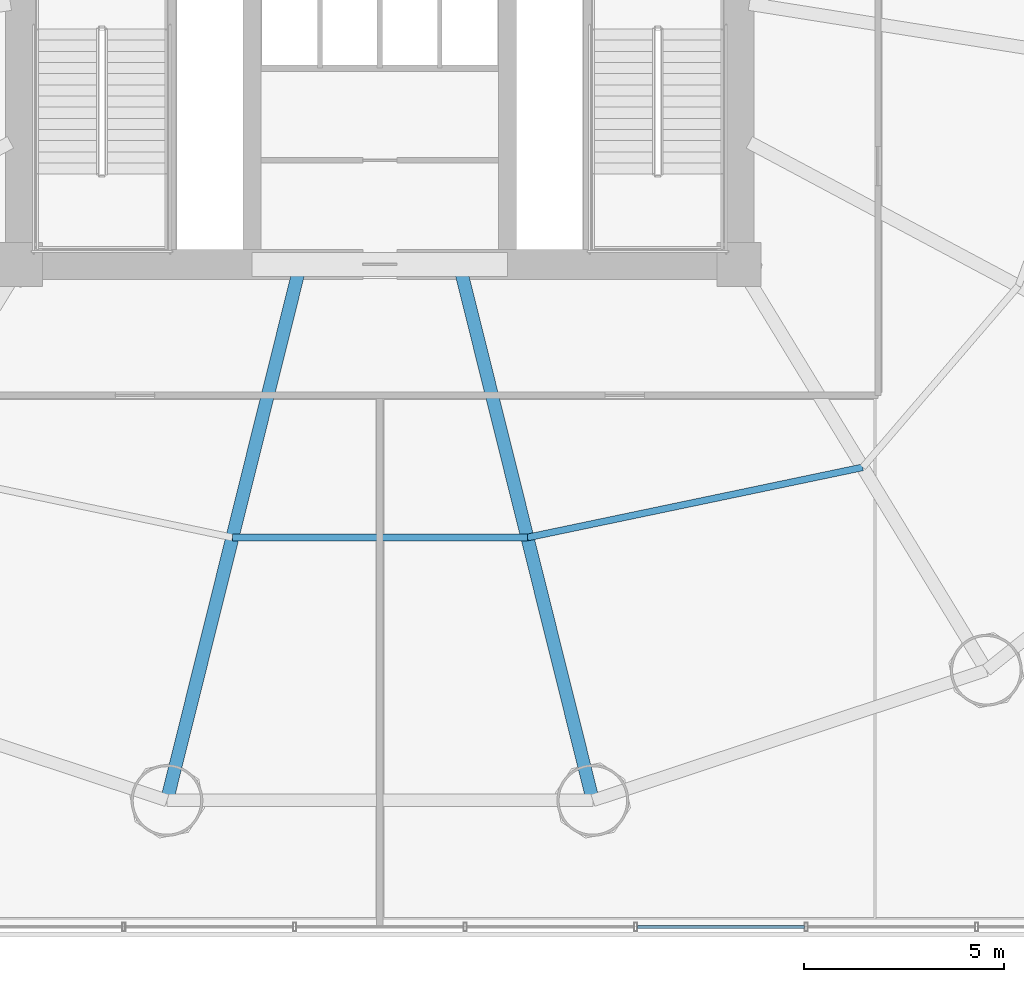
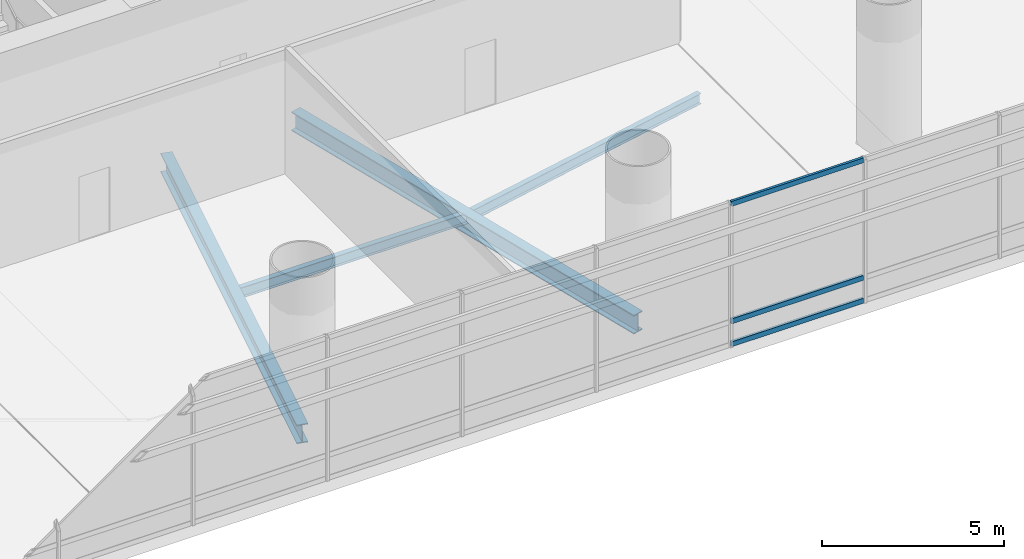
# One storey, part 7 of 31: 4 beams, 3 members, 1 element without a shape of its own.
"""IFC4 building model written with IfcOpenShell, lengths in metres."""

from ifc_helpers import new_model, si_unit, direction, frame, origin, origin_2d, place, context, subcontext, project, spatial, hollow_rectangle, i_section, extrude, source, transform, mapped, material, material_profile, profile_set, type_object, element, aggregate, save


model = new_model("IFC4")

# Units and contexts
model_context = context("Model", 3, precision=1e-05, world=origin(), true_north=direction((-0.2419218956, 0.970295726276)))
body_context = subcontext(model_context, "Body", "Model", "MODEL_VIEW")
ifc_project = project(units=[si_unit("LENGTHUNIT", "METRE"), si_unit("AREAUNIT", "SQUARE_METRE"), si_unit("VOLUMEUNIT", "CUBIC_METRE"), si_unit("PLANEANGLEUNIT", "RADIAN"), si_unit("MASSUNIT", "GRAM", prefix="KILO")], contexts=[model_context])

# Site, building, storey
site_placement = place(None, origin())
site = spatial("IfcSite", under=ifc_project, at=site_placement, CompositionType="ELEMENT")
building_placement = place(site_placement, origin())
building = spatial("IfcBuilding", under=site, at=building_placement, Name="Cobrevalo Terracotta Tower", CompositionType="ELEMENT")
storey_placement = place(building_placement, frame((0.0, 0.0, 18.89990234375)))
storey = spatial("IfcBuildingStorey", under=building, at=storey_placement, Name="L04", CompositionType="ELEMENT", Elevation=18.89990234375)

# Beams
ifc_material_1 = material(Name="Steel S355", Category="steel")
ifc_material_profile_1 = material_profile(ifc_material_1, i_section(OverallWidth=0.3291015625, OverallDepth=0.635009765625, WebThickness=0.017822265625, FlangeThickness=0.031005859375, at=origin_2d()), Name="W 610x241")
ifc_profile_set_1 = profile_set([ifc_material_profile_1], Name="Steel S355")
beam_type_1 = type_object("IfcBeamType", Name="Structural Beam W 610x241 (Steel S355)", PredefinedType="BEAM", material=ifc_profile_set_1)
for number, where, z_axis, x_axis, name in (
    (1, (32.664306640625, 5.369873046875, -0.767333984375), (0.241600470374, 0.970375810042, 0.0), (-0.970375810042, 0.241600470374, 0.0), "L04 radial floor girder 12"),
    (2, (43.335693359375, 5.369873046875, -0.767333984375), (-0.241600470374, 0.970375810042, 0.0), (-0.970375810042, -0.241600470374, 0.0), "L04 radial floor girder 13"),
):
    element("IfcBeam", number, at=place(storey_placement, frame(where, z_axis=z_axis, x_axis=x_axis)), inside=storey, type_object=beam_type_1, Name=name, PredefinedType="BEAM", context=body_context, shape_type="SweptSolid", body=[
        extrude(i_section(OverallWidth=0.3291015625, OverallDepth=0.635009765625, WebThickness=0.017822265625, FlangeThickness=0.031005859375, at=origin_2d()), origin(), (0.0, 0.0, 1.0), 13.5771484375),
    ])
ifc_material_profile_2 = material_profile(ifc_material_1, i_section(OverallWidth=0.1708984375, OverallDepth=0.35498046875, WebThickness=0.007080078125, FlangeThickness=0.01171875, at=origin_2d()), Name="W 360x51")
ifc_profile_set_2 = profile_set([ifc_material_profile_2], Name="Steel S355")
beam_type_2 = type_object("IfcBeamType", Name="Structural Joist W 360x51 (Steel S355)", PredefinedType="JOIST", material=ifc_profile_set_2)
beam_1_placement = place(storey_placement, frame((34.304443359375, 11.95751953125, -0.62744140625), z_axis=(1.0, 0.0, 0.0), x_axis=(0.0, 1.0, 0.0)))
element("IfcBeam", 3, at=beam_1_placement, inside=storey, type_object=beam_type_2, Name="L04 circumferential secondary floor joist 12", PredefinedType="JOIST", context=body_context, shape_type="SweptSolid", body=[
    extrude(i_section(OverallWidth=0.1708984375, OverallDepth=0.35498046875, WebThickness=0.007080078125, FlangeThickness=0.01171875, at=origin_2d()), origin(), (0.0, 0.0, 1.0), 7.39111328125),
])
beam_2_placement = place(storey_placement, frame((41.695556640625, 11.95751953125, -0.62744140625), z_axis=(0.978784523904, 0.204892302848, 0.0), x_axis=(-0.204892302848, 0.978784523904, 0.0)))
element("IfcBeam", 4, at=beam_2_placement, inside=storey, type_object=beam_type_2, Name="L04 circumferential secondary floor joist 13", PredefinedType="JOIST", context=body_context, shape_type="SweptSolid", body=[
    extrude(i_section(OverallWidth=0.1708984375, OverallDepth=0.35498046875, WebThickness=0.007080078125, FlangeThickness=0.01171875, at=origin_2d()), origin(), (0.0, 0.0, 1.0), 8.583984375),
])

# Curtain wall, members
ifc_material_2 = material(Name="Anodized aluminium", Category="aluminium")
curtain_wall_type = type_object("IfcCurtainWallType", Name="Podium gallery & conservatory curtain wall CW-S2", PredefinedType="NOTDEFINED", material=ifc_material_2)
curtain_wall_placement = place(storey_placement, origin())
curtain_wall = element("IfcCurtainWall", 5, at=curtain_wall_placement, inside=storey, type_object=curtain_wall_type, Name="L04 curtain wall CW-POD-L04-S", PredefinedType="NOTDEFINED")
ifc_material_profile_3 = material_profile(ifc_material_2, hollow_rectangle(XDim=0.080078125, YDim=0.1650390625, WallThickness=0.00439453125, at=origin_2d()), Name="CWT 80x165")
ifc_profile_set_3 = profile_set([ifc_material_profile_3], Name="Anodized aluminium")
member_type = type_object("IfcMemberType", Name="Storefront & atrium aluminium transom 80x165", PredefinedType="USERDEFINED", material=ifc_profile_set_3)
shared_shape = source(origin(), body_context, "Body", "SweptSolid", [
    extrude(hollow_rectangle(XDim=0.080078125, YDim=0.1650390625, WallThickness=0.00439453125, at=origin_2d()), origin(), (0.0, 0.0, 1.0), 4.193359375),
])
member_1_placement = place(storey_placement, frame((44.449951171875, 2.199951171875, 0.050048828125), z_axis=(1.0, 0.0, 0.0), x_axis=(0.0, 1.0, 0.0)))
member_1 = element("IfcMember", 6, at=member_1_placement, type_object=member_type, Name="CW-POD-L04-S transom B10-T1", ObjectType="TRANSOM", PredefinedType="USERDEFINED", context=body_context, shape_type="MappedRepresentation", body=[
    mapped(shared_shape, transform((0.0, 0.0, 0.0), scale=1.0)),
])
member_2_placement = place(storey_placement, frame((44.449951171875, 2.199951171875, 0.820068359375), z_axis=(1.0, 0.0, 0.0), x_axis=(0.0, 1.0, 0.0)))
member_2 = element("IfcMember", 7, at=member_2_placement, type_object=member_type, Name="CW-POD-L04-S transom B10-T2", ObjectType="TRANSOM", PredefinedType="USERDEFINED", context=body_context, shape_type="MappedRepresentation", body=[
    mapped(shared_shape, transform((0.0, 0.0, 0.0), scale=1.0)),
])
member_3_placement = place(storey_placement, frame((44.449951171875, 2.199951171875, 4.77001953125), z_axis=(1.0, 0.0, 0.0), x_axis=(0.0, 1.0, 0.0)))
member_3 = element("IfcMember", 8, at=member_3_placement, type_object=member_type, Name="CW-POD-L04-S transom B10-T3", ObjectType="TRANSOM", PredefinedType="USERDEFINED", context=body_context, shape_type="MappedRepresentation", body=[
    mapped(shared_shape, transform((0.0, 0.0, 0.0), scale=1.0)),
])
aggregate(curtain_wall, [member_1, member_2, member_3])

save(model, "model.ifc")
